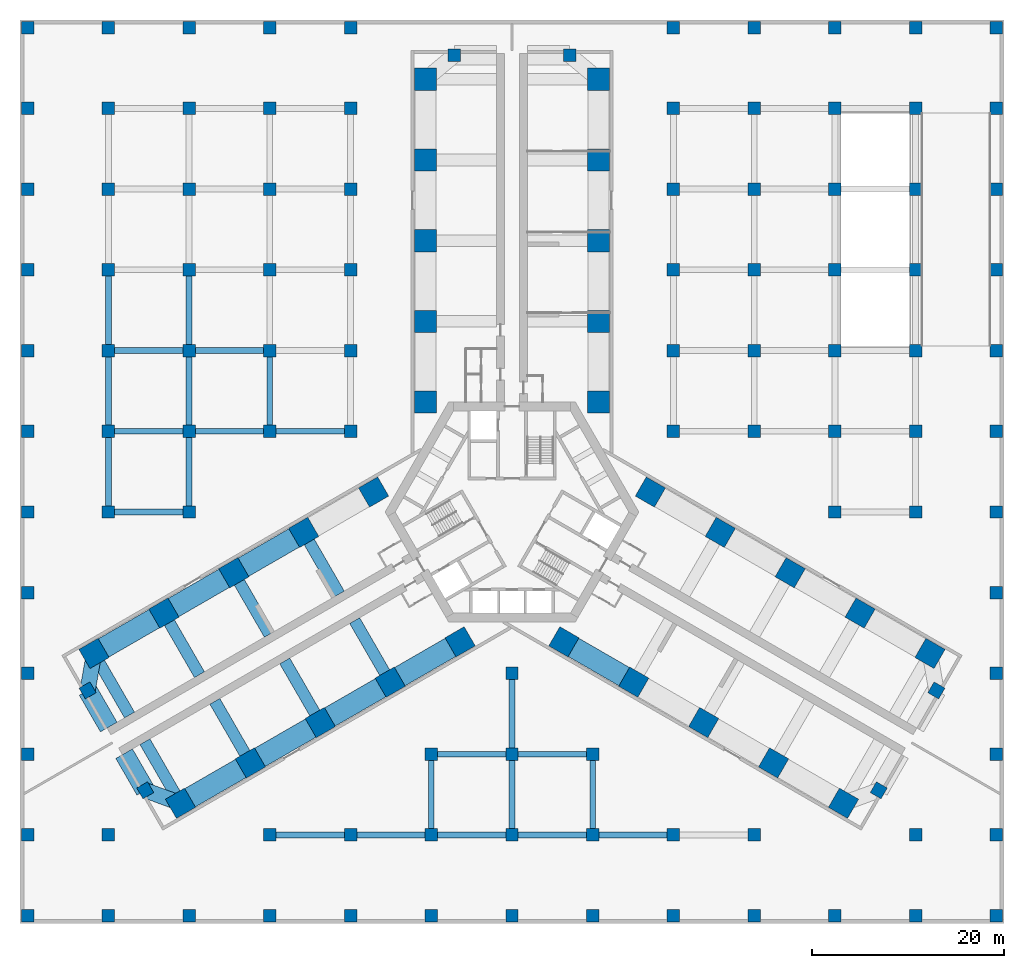
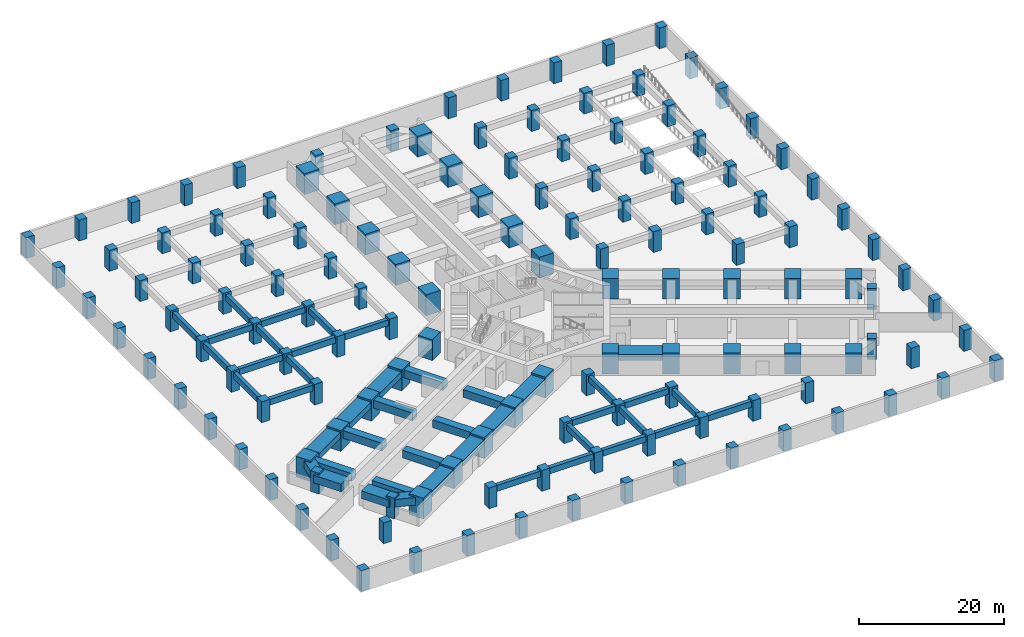
# One storey, part 1 of 11: 136 columns, 44 beams.
"""IFC4 building model written with IfcOpenShell, lengths in metres."""

import ifcopenshell
import ifcopenshell.guid

model = None  # the IFC model being written
_history = None  # IfcOwnerHistory: only IFC2X3 demands one
_inside = {}  # id of a spatial element -> (the spatial element, [elements in it])
_under = {}  # id of a project, library or spatial element -> (it, [spatial elements below it])
_declared = {}  # id of a project -> (the project, [libraries it declares])
_typed = {}  # id of a type object -> (the type object, [elements of that type])
_made_of = {}  # id of a material, layer set ... -> (it, [elements and type objects made of it])


def new_model(schema):
    """Start an empty IFC model of exactly this schema.

    Asked for "IFC4X3", IfcOpenShell would pick the latest addendum, in which some entities
    have other attributes; the version numbers below select the first issue.
    IFC2X3 requires an IfcOwnerHistory on every rooted entity: one is made here for all.
    """
    global model, _history
    if schema == "IFC4X3":
        model = ifcopenshell.file(schema_version=(4, 3, 0, 0))
    else:
        model = ifcopenshell.file(schema=schema)
    _inside.clear()
    _under.clear()
    _declared.clear()
    _typed.clear()
    _made_of.clear()
    _history = None
    if model.schema == "IFC2X3":
        org = make("IfcOrganization", Name="unknown")
        user = make(
            "IfcPersonAndOrganization",
            ThePerson=make("IfcPerson", FamilyName="unknown"),
            TheOrganization=org,
        )
        app = make(
            "IfcApplication",
            ApplicationDeveloper=org,
            Version="unknown",
            ApplicationFullName="unknown",
            ApplicationIdentifier="unknown",
        )
        _history = make(
            "IfcOwnerHistory",
            OwningUser=user,
            OwningApplication=app,
            ChangeAction="ADDED",
            CreationDate=0,
        )
    return model


def make(cls, **values):
    """One entity of the class cls with the attributes given. An attribute that is None is left unset."""
    return model.create_entity(
        cls, **{name: value for name, value in values.items() if value is not None}
    )


def rooted(cls, **values):
    """An entity with a GlobalId (a new one), such as an element, a storey or a relation."""
    return make(cls, GlobalId=ifcopenshell.guid.new(), OwnerHistory=_history, **values)


def si_unit(unit_type, name, prefix=None):
    """IfcSIUnit, for example si_unit("LENGTHUNIT", "METRE", prefix="MILLI")."""
    return make("IfcSIUnit", UnitType=unit_type, Prefix=prefix, Name=name)


def assignment(units):
    """IfcUnitAssignment: the units of a project."""
    return None if units is None else make("IfcUnitAssignment", Units=units)


def point(xyz):
    """IfcCartesianPoint."""
    return None if xyz is None else make("IfcCartesianPoint", Coordinates=xyz)


def direction(xyz):
    """IfcDirection."""
    return None if xyz is None else make("IfcDirection", DirectionRatios=xyz)


def frame(location, z_axis=None, x_axis=None):
    """IfcAxis2Placement3D, a coordinate frame: its origin and axes. An axis left out is left unset."""
    return make(
        "IfcAxis2Placement3D",
        Location=point(location),
        Axis=direction(z_axis),
        RefDirection=direction(x_axis),
    )


def frame_2d(location, x_axis=None):
    """IfcAxis2Placement2D, a coordinate frame in the plane: its origin and x axis."""
    return make(
        "IfcAxis2Placement2D", Location=point(location), RefDirection=direction(x_axis)
    )


def origin():
    """The frame at (0, 0, 0) with its axes left unset."""
    return frame((0.0, 0.0, 0.0))


def origin_2d():
    """The frame at (0, 0) in the plane with its x axis left unset."""
    return frame_2d((0.0, 0.0))


def place(relative_to, where):
    """IfcLocalPlacement: puts the frame where relative to a parent placement (None: the world)."""
    return make(
        "IfcLocalPlacement", PlacementRelTo=relative_to, RelativePlacement=where
    )


def context(
    kind, dimensions, precision=None, world=None, true_north=None, identifier=None
):
    """IfcGeometricRepresentationContext, for example the 3D "Model" context."""
    return make(
        "IfcGeometricRepresentationContext",
        ContextIdentifier=identifier,
        ContextType=kind,
        CoordinateSpaceDimension=dimensions,
        Precision=precision,
        WorldCoordinateSystem=world,
        TrueNorth=true_north,
    )


def subcontext(parent, identifier, kind, view, scale=None):
    """IfcGeometricRepresentationSubContext, for example "Body" below "Model"."""
    return make(
        "IfcGeometricRepresentationSubContext",
        ContextIdentifier=identifier,
        ContextType=kind,
        ParentContext=parent,
        TargetScale=scale,
        TargetView=view,
    )


def project(units=None, contexts=None):
    """IfcProject with its units and contexts."""
    return rooted(
        "IfcProject",
        Name="project",
        RepresentationContexts=contexts,
        UnitsInContext=assignment(units),
    )


def spatial(cls, under=None, at=None, **own):
    """A site, building, storey or space (cls), placed at a placement, below another one or the project."""
    s = rooted(cls, ObjectPlacement=at, **own)
    if under is not None:
        _under.setdefault(under.id(), (under, []))[1].append(s)
    return s


def profile(cls, at=None, kind="AREA", **sizes):
    """A parametric profile (cls). Its sizes go by their IFC names, for example OverallWidth=200.0."""
    return make(cls, ProfileType=kind, Position=at, **sizes)


def rectangle(**sizes):
    """IfcRectangleProfileDef."""
    return profile("IfcRectangleProfileDef", **sizes)


def extrude(swept, where, along, depth):
    """IfcExtrudedAreaSolid: the profile swept, set in the frame where, extruded along a direction by depth."""
    return make(
        "IfcExtrudedAreaSolid",
        SweptArea=swept,
        Position=where,
        ExtrudedDirection=direction(along),
        Depth=depth,
    )


def shape(context_of_items, identifier, shape_type, items):
    """IfcShapeRepresentation: the items that make up one representation, for example the "Body"."""
    return make(
        "IfcShapeRepresentation",
        ContextOfItems=context_of_items,
        RepresentationIdentifier=identifier,
        RepresentationType=shape_type,
        Items=items,
    )


def material(Name=None, Category=None):
    """IfcMaterial."""
    return make("IfcMaterial", Name=Name, Category=Category)


def material_profile(
    of_material, cross_section, Name=None, Category=None, Priority=None
):
    """IfcMaterialProfile: a cross section and its material."""
    return make(
        "IfcMaterialProfile",
        Name=Name,
        Material=of_material,
        Profile=cross_section,
        Priority=Priority,
        Category=Category,
    )


def profile_set(profiles, Name=None, composite=None):
    """IfcMaterialProfileSet."""
    return make(
        "IfcMaterialProfileSet",
        Name=Name,
        MaterialProfiles=profiles,
        CompositeProfile=composite,
    )


def made_of(thing, what):
    """Note that an element or type object is made of a material, layer set ...; save() writes the relation."""
    if what is not None:
        _made_of.setdefault(what.id(), (what, []))[1].append(thing)
    return thing


def type_object(cls, material=None, **own):
    """A type object (cls), such as IfcWallType, which elements share."""
    return made_of(rooted(cls, **own), material)


def element(
    cls,
    number,
    at=None,
    inside=None,
    cuts=None,
    type_object=None,
    material=None,
    context=None,
    identifier="Body",
    shape_type=None,
    held_by="IfcProductDefinitionShape",
    body=None,
    shapes=None,
    **own,
):
    """One element of the class cls, such as IfcWall. Its Tag is "e" and its number.

    at: its placement. inside: the storey or other place that contains it. cuts: it is an
    opening in that element (IfcRelVoidsElement). A single representation is given by context,
    identifier, shape_type and body (its items); several are given by shapes. held_by: the class
    of the entity that holds the representations. save() writes the other relations.
    """
    e = rooted(cls, Tag="e%d" % number, ObjectPlacement=at, **own)
    if body is not None:
        shapes = [shape(context, identifier, shape_type, body)]
    if shapes is not None:
        e.Representation = make(held_by, Representations=shapes)
    if inside is not None:
        _inside.setdefault(inside.id(), (inside, []))[1].append(e)
    if cuts is not None:
        rooted(
            "IfcRelVoidsElement", RelatingBuildingElement=cuts, RelatedOpeningElement=e
        )
    if type_object is not None:
        _typed.setdefault(type_object.id(), (type_object, []))[1].append(e)
    return made_of(e, material)


def aggregate(whole, parts):
    """IfcRelAggregates: a whole, such as a stair, and the parts it consists of."""
    return rooted("IfcRelAggregates", RelatingObject=whole, RelatedObjects=parts)


def save(model, path):
    """Write the relations noted so far, then the file.

    IfcRelAggregates (storeys below a building ...), IfcRelContainedInSpatialStructure (elements
    in a storey), IfcRelDefinesByType, IfcRelAssociatesMaterial and IfcRelDeclares: one each for
    every whole, place, type object, material and project.
    """
    for whole, parts in _under.values():
        aggregate(whole, parts)
    for where, things in _inside.values():
        rooted(
            "IfcRelContainedInSpatialStructure",
            RelatedElements=things,
            RelatingStructure=where,
        )
    for kind, things in _typed.values():
        rooted("IfcRelDefinesByType", RelatedObjects=things, RelatingType=kind)
    for what, things in _made_of.values():
        rooted("IfcRelAssociatesMaterial", RelatedObjects=things, RelatingMaterial=what)
    for by, libraries in _declared.values():
        rooted("IfcRelDeclares", RelatingContext=by, RelatedDefinitions=libraries)
    model.write(path)


model = new_model("IFC4")

# Units and contexts
model_context = context("Model", 3, precision=1e-05, world=origin(), true_north=direction((0.0, 1.0)))
body_context = subcontext(model_context, "Body", "Model", "MODEL_VIEW")
ifc_project = project(units=[si_unit("LENGTHUNIT", "METRE"), si_unit("AREAUNIT", "SQUARE_METRE"), si_unit("VOLUMEUNIT", "CUBIC_METRE"), si_unit("PLANEANGLEUNIT", "RADIAN"), si_unit("MASSUNIT", "GRAM", prefix="KILO")], contexts=[model_context])

# Site, building, storey
site_placement = place(None, origin())
site = spatial("IfcSite", under=ifc_project, at=site_placement, CompositionType="ELEMENT")
building_placement = place(site_placement, origin())
building = spatial("IfcBuilding", under=site, at=building_placement, Name="Impinga Residences", CompositionType="ELEMENT")
storey_placement = place(building_placement, frame((0.0, 0.0, -7.0)))
storey = spatial("IfcBuildingStorey", under=building, at=storey_placement, Name="B2", CompositionType="ELEMENT", Elevation=-7.0)

# Columns
ifc_material_1 = material(Name="Concrete C70/85", Category="concrete")
ifc_material_profile_1 = material_profile(ifc_material_1, rectangle(XDim=2.300048828125, YDim=2.300048828125, at=origin_2d()), Name="RC 2300x2300")
ifc_profile_set_1 = profile_set([ifc_material_profile_1], Name="Concrete C70/85")
column_type_1 = type_object("IfcColumnType", Name="C1 2300x2300 column", PredefinedType="COLUMN", material=ifc_profile_set_1)
for number, where, z_axis, x_axis, name in (
    (1, (-9.0, 11.431640625, 0.0), (0.0, 0.0, 1.0), (1.0, 0.0, 0.0), "Column C1 N1/NA B2"),
    (2, (9.0, 11.431640625, 0.0), (0.0, 0.0, 1.0), (1.0, 0.0, 0.0), "Column C1 N1/NF B2"),
    (3, (-9.0, 19.83154296875, 0.0), (0.0, 0.0, 1.0), (1.0, 0.0, 0.0), "Column C1 N2/NA B2"),
    (4, (9.0, 19.83154296875, 0.0), (0.0, 0.0, 1.0), (1.0, 0.0, 0.0), "Column C1 N2/NF B2"),
    (5, (-9.0, 28.2314453125, 0.0), (0.0, 0.0, 1.0), (1.0, 0.0, 0.0), "Column C1 N3/NA B2"),
    (6, (9.0, 28.2314453125, 0.0), (0.0, 0.0, 1.0), (1.0, 0.0, 0.0), "Column C1 N3/NF B2"),
    (7, (-9.0, 36.631591796875, 0.0), (0.0, 0.0, 1.0), (1.0, 0.0, 0.0), "Column C1 N4/NA B2"),
    (8, (9.0, 36.631591796875, 0.0), (0.0, 0.0, 1.0), (1.0, 0.0, 0.0), "Column C1 N4/NF B2"),
    (9, (-9.0, 45.031494140625, 0.0), (0.0, 0.0, 1.0), (1.0, 0.0, 0.0), "Column C1 N5/NA B2"),
    (10, (9.0, 45.031494140625, 0.0), (0.0, 0.0, 1.0), (1.0, 0.0, 0.0), "Column C1 N5/NF B2"),
    (11, (-5.39990234375, -13.510009765625, 0.0), (0.0, 0.0, 1.0), (-0.5, 0.866025403784, 0.0), "Column C1 W1/WA B2"),
    (12, (-14.39990234375, 2.078369140625, 0.0), (0.0, 0.0, 1.0), (-0.5, 0.866025403784, 0.0), "Column C1 W1/WF B2"),
    (13, (-12.674560546875, -17.7099609375, 0.0), (0.0, 0.0, 1.0), (-0.5, 0.866025403784, 0.0), "Column C1 W2/WA B2"),
    (14, (-21.674560546875, -2.12158203125, 0.0), (0.0, 0.0, 1.0), (-0.5, 0.866025403784, 0.0), "Column C1 W2/WF B2"),
    (15, (-19.94921875, -21.909912109375, 0.0), (0.0, 0.0, 1.0), (-0.5, 0.866025403784, 0.0), "Column C1 W3/WA B2"),
    (16, (-28.94921875, -6.321533203125, 0.0), (0.0, 0.0, 1.0), (-0.5, 0.866025403784, 0.0), "Column C1 W3/WF B2"),
    (17, (-27.223876953125, -26.110107421875, 0.0), (0.0, 0.0, 1.0), (-0.5, 0.866025403784, 0.0), "Column C1 W4/WA B2"),
    (18, (-36.223876953125, -10.521484375, 0.0), (0.0, 0.0, 1.0), (-0.5, 0.866025403784, 0.0), "Column C1 W4/WF B2"),
    (19, (-34.49853515625, -30.31005859375, 0.0), (0.0, 0.0, 1.0), (-0.5, 0.866025403784, 0.0), "Column C1 W5/WA B2"),
    (20, (-43.49853515625, -14.721435546875, 0.0), (0.0, 0.0, 1.0), (-0.5, 0.866025403784, 0.0), "Column C1 W5/WF B2"),
    (21, (14.39990234375, 2.078369140625, 0.0), (0.0, 0.0, 1.0), (-0.5, -0.866025403784, 0.0), "Column C1 E1/EA B2"),
    (22, (5.39990234375, -13.510009765625, 0.0), (0.0, 0.0, 1.0), (-0.5, -0.866025403784, 0.0), "Column C1 E1/EF B2"),
    (23, (21.674560546875, -2.12158203125, 0.0), (0.0, 0.0, 1.0), (-0.5, -0.866025403784, 0.0), "Column C1 E2/EA B2"),
    (24, (12.674560546875, -17.7099609375, 0.0), (0.0, 0.0, 1.0), (-0.5, -0.866025403784, 0.0), "Column C1 E2/EF B2"),
    (25, (28.94921875, -6.321533203125, 0.0), (0.0, 0.0, 1.0), (-0.5, -0.866025403784, 0.0), "Column C1 E3/EA B2"),
    (26, (19.94921875, -21.909912109375, 0.0), (0.0, 0.0, 1.0), (-0.5, -0.866025403784, 0.0), "Column C1 E3/EF B2"),
    (27, (36.223876953125, -10.521484375, 0.0), (0.0, 0.0, 1.0), (-0.5, -0.866025403784, 0.0), "Column C1 E4/EA B2"),
    (28, (27.223876953125, -26.110107421875, 0.0), (0.0, 0.0, 1.0), (-0.5, -0.866025403784, 0.0), "Column C1 E4/EF B2"),
    (29, (43.49853515625, -14.721435546875, 0.0), (0.0, 0.0, 1.0), (-0.5, -0.866025403784, 0.0), "Column C1 E5/EA B2"),
    (30, (34.49853515625, -30.31005859375, 0.0), (0.0, 0.0, 1.0), (-0.5, -0.866025403784, 0.0), "Column C1 E5/EF B2"),
):
    element("IfcColumn", number, at=place(storey_placement, frame(where, z_axis=z_axis, x_axis=x_axis)), inside=storey, type_object=column_type_1, Name=name, PredefinedType="COLUMN", context=body_context, shape_type="SweptSolid", body=[
        extrude(rectangle(XDim=2.300048828125, YDim=2.300048828125, at=origin_2d()), origin(), (0.0, 0.0, 1.0), 3.5),
    ])
ifc_material_profile_2 = material_profile(ifc_material_1, rectangle(XDim=1.300048828125, YDim=1.300048828125, at=origin_2d()), Name="RC 1300x1300")
ifc_profile_set_2 = profile_set([ifc_material_profile_2], Name="Concrete C70/85")
column_type_2 = type_object("IfcColumnType", Name="PC1 1300x1300 column", PredefinedType="COLUMN", material=ifc_profile_set_2)
for number, where, z_axis, x_axis, name in (
    (31, (-6.0, 47.531494140625, 0.0), (0.0, 0.0, 1.0), (1.0, 0.0, 0.0), "Column PC1 NB/NX wing end prop B2"),
    (32, (6.0, 47.531494140625, 0.0), (0.0, 0.0, 1.0), (1.0, 0.0, 0.0), "Column PC1 NE/NX wing end prop B2"),
    (33, (-38.16357421875, -28.9619140625, 0.0), (0.0, 0.0, 1.0), (-0.5, 0.866025403784, 0.0), "Column PC1 WB/WX wing end prop B2"),
    (34, (-44.16357421875, -18.569580078125, 0.0), (0.0, 0.0, 1.0), (-0.5, 0.866025403784, 0.0), "Column PC1 WE/WX wing end prop B2"),
    (35, (44.16357421875, -18.569580078125, 0.0), (0.0, 0.0, 1.0), (-0.5, -0.866025403784, 0.0), "Column PC1 EB/EX wing end prop B2"),
    (36, (38.16357421875, -28.9619140625, 0.0), (0.0, 0.0, 1.0), (-0.5, -0.866025403784, 0.0), "Column PC1 EE/EX wing end prop B2"),
    (37, (-50.39990234375, -42.0, 0.0), (0.0, 0.0, 1.0), (1.0, 0.0, 0.0), "Column PC1 1/A B2"),
    (38, (-50.39990234375, -33.60009765625, 0.0), (0.0, 0.0, 1.0), (1.0, 0.0, 0.0), "Column PC1 1/B B2"),
    (39, (-50.39990234375, -25.199951171875, 0.0), (0.0, 0.0, 1.0), (1.0, 0.0, 0.0), "Column PC1 1/C B2"),
    (40, (-50.39990234375, -16.800048828125, 0.0), (0.0, 0.0, 1.0), (1.0, 0.0, 0.0), "Column PC1 1/D B2"),
    (41, (-50.39990234375, -8.39990234375, 0.0), (0.0, 0.0, 1.0), (1.0, 0.0, 0.0), "Column PC1 1/E B2"),
    (42, (-50.39990234375, 0.0, 0.0), (0.0, 0.0, 1.0), (1.0, 0.0, 0.0), "Column PC1 1/F B2"),
    (43, (-50.39990234375, 8.39990234375, 0.0), (0.0, 0.0, 1.0), (1.0, 0.0, 0.0), "Column PC1 1/G B2"),
    (44, (-50.39990234375, 16.800048828125, 0.0), (0.0, 0.0, 1.0), (1.0, 0.0, 0.0), "Column PC1 1/H B2"),
    (45, (-50.39990234375, 25.199951171875, 0.0), (0.0, 0.0, 1.0), (1.0, 0.0, 0.0), "Column PC1 1/J B2"),
    (46, (-50.39990234375, 33.60009765625, 0.0), (0.0, 0.0, 1.0), (1.0, 0.0, 0.0), "Column PC1 1/K B2"),
    (47, (-50.39990234375, 42.0, 0.0), (0.0, 0.0, 1.0), (1.0, 0.0, 0.0), "Column PC1 1/L B2"),
    (48, (-50.39990234375, 50.39990234375, 0.0), (0.0, 0.0, 1.0), (1.0, 0.0, 0.0), "Column PC1 1/M B2"),
    (49, (-42.0, -42.0, 0.0), (0.0, 0.0, 1.0), (1.0, 0.0, 0.0), "Column PC1 2/A B2"),
    (50, (-42.0, -33.60009765625, 0.0), (0.0, 0.0, 1.0), (1.0, 0.0, 0.0), "Column PC1 2/B B2"),
    (51, (-42.0, 0.0, 0.0), (0.0, 0.0, 1.0), (1.0, 0.0, 0.0), "Column PC1 2/F B2"),
    (52, (-42.0, 8.39990234375, 0.0), (0.0, 0.0, 1.0), (1.0, 0.0, 0.0), "Column PC1 2/G B2"),
    (53, (-42.0, 16.800048828125, 0.0), (0.0, 0.0, 1.0), (1.0, 0.0, 0.0), "Column PC1 2/H B2"),
    (54, (-42.0, 25.199951171875, 0.0), (0.0, 0.0, 1.0), (1.0, 0.0, 0.0), "Column PC1 2/J B2"),
    (55, (-42.0, 33.60009765625, 0.0), (0.0, 0.0, 1.0), (1.0, 0.0, 0.0), "Column PC1 2/K B2"),
    (56, (-42.0, 42.0, 0.0), (0.0, 0.0, 1.0), (1.0, 0.0, 0.0), "Column PC1 2/L B2"),
    (57, (-42.0, 50.39990234375, 0.0), (0.0, 0.0, 1.0), (1.0, 0.0, 0.0), "Column PC1 2/M B2"),
    (58, (-33.60009765625, -42.0, 0.0), (0.0, 0.0, 1.0), (1.0, 0.0, 0.0), "Column PC1 3/A B2"),
    (59, (-33.60009765625, 0.0, 0.0), (0.0, 0.0, 1.0), (1.0, 0.0, 0.0), "Column PC1 3/F B2"),
    (60, (-33.60009765625, 8.39990234375, 0.0), (0.0, 0.0, 1.0), (1.0, 0.0, 0.0), "Column PC1 3/G B2"),
    (61, (-33.60009765625, 16.800048828125, 0.0), (0.0, 0.0, 1.0), (1.0, 0.0, 0.0), "Column PC1 3/H B2"),
    (62, (-33.60009765625, 25.199951171875, 0.0), (0.0, 0.0, 1.0), (1.0, 0.0, 0.0), "Column PC1 3/J B2"),
    (63, (-33.60009765625, 33.60009765625, 0.0), (0.0, 0.0, 1.0), (1.0, 0.0, 0.0), "Column PC1 3/K B2"),
    (64, (-33.60009765625, 42.0, 0.0), (0.0, 0.0, 1.0), (1.0, 0.0, 0.0), "Column PC1 3/L B2"),
    (65, (-33.60009765625, 50.39990234375, 0.0), (0.0, 0.0, 1.0), (1.0, 0.0, 0.0), "Column PC1 3/M B2"),
    (66, (-25.199951171875, -42.0, 0.0), (0.0, 0.0, 1.0), (1.0, 0.0, 0.0), "Column PC1 4/A B2"),
    (67, (-25.199951171875, -33.60009765625, 0.0), (0.0, 0.0, 1.0), (1.0, 0.0, 0.0), "Column PC1 4/B B2"),
    (68, (-25.199951171875, 8.39990234375, 0.0), (0.0, 0.0, 1.0), (1.0, 0.0, 0.0), "Column PC1 4/G B2"),
    (69, (-25.199951171875, 16.800048828125, 0.0), (0.0, 0.0, 1.0), (1.0, 0.0, 0.0), "Column PC1 4/H B2"),
    (70, (-25.199951171875, 25.199951171875, 0.0), (0.0, 0.0, 1.0), (1.0, 0.0, 0.0), "Column PC1 4/J B2"),
    (71, (-25.199951171875, 33.60009765625, 0.0), (0.0, 0.0, 1.0), (1.0, 0.0, 0.0), "Column PC1 4/K B2"),
    (72, (-25.199951171875, 42.0, 0.0), (0.0, 0.0, 1.0), (1.0, 0.0, 0.0), "Column PC1 4/L B2"),
    (73, (-25.199951171875, 50.39990234375, 0.0), (0.0, 0.0, 1.0), (1.0, 0.0, 0.0), "Column PC1 4/M B2"),
    (74, (-16.800048828125, -42.0, 0.0), (0.0, 0.0, 1.0), (1.0, 0.0, 0.0), "Column PC1 5/A B2"),
    (75, (-16.800048828125, -33.60009765625, 0.0), (0.0, 0.0, 1.0), (1.0, 0.0, 0.0), "Column PC1 5/B B2"),
    (76, (-16.800048828125, 8.39990234375, 0.0), (0.0, 0.0, 1.0), (1.0, 0.0, 0.0), "Column PC1 5/G B2"),
    (77, (-16.800048828125, 16.800048828125, 0.0), (0.0, 0.0, 1.0), (1.0, 0.0, 0.0), "Column PC1 5/H B2"),
    (78, (-16.800048828125, 25.199951171875, 0.0), (0.0, 0.0, 1.0), (1.0, 0.0, 0.0), "Column PC1 5/J B2"),
    (79, (-16.800048828125, 33.60009765625, 0.0), (0.0, 0.0, 1.0), (1.0, 0.0, 0.0), "Column PC1 5/K B2"),
    (80, (-16.800048828125, 42.0, 0.0), (0.0, 0.0, 1.0), (1.0, 0.0, 0.0), "Column PC1 5/L B2"),
    (81, (-16.800048828125, 50.39990234375, 0.0), (0.0, 0.0, 1.0), (1.0, 0.0, 0.0), "Column PC1 5/M B2"),
    (82, (-8.39990234375, -42.0, 0.0), (0.0, 0.0, 1.0), (1.0, 0.0, 0.0), "Column PC1 6/A B2"),
    (83, (-8.39990234375, -33.60009765625, 0.0), (0.0, 0.0, 1.0), (1.0, 0.0, 0.0), "Column PC1 6/B B2"),
    (84, (-8.39990234375, -25.199951171875, 0.0), (0.0, 0.0, 1.0), (1.0, 0.0, 0.0), "Column PC1 6/C B2"),
    (85, (0.0, -42.0, 0.0), (0.0, 0.0, 1.0), (1.0, 0.0, 0.0), "Column PC1 7/A B2"),
    (86, (0.0, -33.60009765625, 0.0), (0.0, 0.0, 1.0), (1.0, 0.0, 0.0), "Column PC1 7/B B2"),
    (87, (0.0, -25.199951171875, 0.0), (0.0, 0.0, 1.0), (1.0, 0.0, 0.0), "Column PC1 7/C B2"),
    (88, (0.0, -16.800048828125, 0.0), (0.0, 0.0, 1.0), (1.0, 0.0, 0.0), "Column PC1 7/D B2"),
    (89, (8.39990234375, -42.0, 0.0), (0.0, 0.0, 1.0), (1.0, 0.0, 0.0), "Column PC1 8/A B2"),
    (90, (8.39990234375, -33.60009765625, 0.0), (0.0, 0.0, 1.0), (1.0, 0.0, 0.0), "Column PC1 8/B B2"),
    (91, (8.39990234375, -25.199951171875, 0.0), (0.0, 0.0, 1.0), (1.0, 0.0, 0.0), "Column PC1 8/C B2"),
    (92, (16.800048828125, -42.0, 0.0), (0.0, 0.0, 1.0), (1.0, 0.0, 0.0), "Column PC1 9/A B2"),
    (93, (16.800048828125, -33.60009765625, 0.0), (0.0, 0.0, 1.0), (1.0, 0.0, 0.0), "Column PC1 9/B B2"),
    (94, (16.800048828125, 8.39990234375, 0.0), (0.0, 0.0, 1.0), (1.0, 0.0, 0.0), "Column PC1 9/G B2"),
    (95, (16.800048828125, 16.800048828125, 0.0), (0.0, 0.0, 1.0), (1.0, 0.0, 0.0), "Column PC1 9/H B2"),
    (96, (16.800048828125, 25.199951171875, 0.0), (0.0, 0.0, 1.0), (1.0, 0.0, 0.0), "Column PC1 9/J B2"),
    (97, (16.800048828125, 33.60009765625, 0.0), (0.0, 0.0, 1.0), (1.0, 0.0, 0.0), "Column PC1 9/K B2"),
    (98, (16.800048828125, 42.0, 0.0), (0.0, 0.0, 1.0), (1.0, 0.0, 0.0), "Column PC1 9/L B2"),
    (99, (16.800048828125, 50.39990234375, 0.0), (0.0, 0.0, 1.0), (1.0, 0.0, 0.0), "Column PC1 9/M B2"),
    (100, (25.199951171875, -42.0, 0.0), (0.0, 0.0, 1.0), (1.0, 0.0, 0.0), "Column PC1 10/A B2"),
    (101, (25.199951171875, -33.60009765625, 0.0), (0.0, 0.0, 1.0), (1.0, 0.0, 0.0), "Column PC1 10/B B2"),
    (102, (25.199951171875, 8.39990234375, 0.0), (0.0, 0.0, 1.0), (1.0, 0.0, 0.0), "Column PC1 10/G B2"),
    (103, (25.199951171875, 16.800048828125, 0.0), (0.0, 0.0, 1.0), (1.0, 0.0, 0.0), "Column PC1 10/H B2"),
    (104, (25.199951171875, 25.199951171875, 0.0), (0.0, 0.0, 1.0), (1.0, 0.0, 0.0), "Column PC1 10/J B2"),
    (105, (25.199951171875, 33.60009765625, 0.0), (0.0, 0.0, 1.0), (1.0, 0.0, 0.0), "Column PC1 10/K B2"),
    (106, (25.199951171875, 42.0, 0.0), (0.0, 0.0, 1.0), (1.0, 0.0, 0.0), "Column PC1 10/L B2"),
    (107, (25.199951171875, 50.39990234375, 0.0), (0.0, 0.0, 1.0), (1.0, 0.0, 0.0), "Column PC1 10/M B2"),
    (108, (33.60009765625, -42.0, 0.0), (0.0, 0.0, 1.0), (1.0, 0.0, 0.0), "Column PC1 11/A B2"),
    (109, (33.60009765625, 0.0, 0.0), (0.0, 0.0, 1.0), (1.0, 0.0, 0.0), "Column PC1 11/F B2"),
    (110, (33.60009765625, 8.39990234375, 0.0), (0.0, 0.0, 1.0), (1.0, 0.0, 0.0), "Column PC1 11/G B2"),
    (111, (33.60009765625, 16.800048828125, 0.0), (0.0, 0.0, 1.0), (1.0, 0.0, 0.0), "Column PC1 11/H B2"),
    (112, (33.60009765625, 25.199951171875, 0.0), (0.0, 0.0, 1.0), (1.0, 0.0, 0.0), "Column PC1 11/J B2"),
    (113, (33.60009765625, 33.60009765625, 0.0), (0.0, 0.0, 1.0), (1.0, 0.0, 0.0), "Column PC1 11/K B2"),
    (114, (33.60009765625, 42.0, 0.0), (0.0, 0.0, 1.0), (1.0, 0.0, 0.0), "Column PC1 11/L B2"),
    (115, (33.60009765625, 50.39990234375, 0.0), (0.0, 0.0, 1.0), (1.0, 0.0, 0.0), "Column PC1 11/M B2"),
    (116, (42.0, -42.0, 0.0), (0.0, 0.0, 1.0), (1.0, 0.0, 0.0), "Column PC1 12/A B2"),
    (117, (42.0, -33.60009765625, 0.0), (0.0, 0.0, 1.0), (1.0, 0.0, 0.0), "Column PC1 12/B B2"),
    (118, (42.0, 0.0, 0.0), (0.0, 0.0, 1.0), (1.0, 0.0, 0.0), "Column PC1 12/F B2"),
    (119, (42.0, 8.39990234375, 0.0), (0.0, 0.0, 1.0), (1.0, 0.0, 0.0), "Column PC1 12/G B2"),
    (120, (42.0, 16.800048828125, 0.0), (0.0, 0.0, 1.0), (1.0, 0.0, 0.0), "Column PC1 12/H B2"),
    (121, (42.0, 25.199951171875, 0.0), (0.0, 0.0, 1.0), (1.0, 0.0, 0.0), "Column PC1 12/J B2"),
    (122, (42.0, 33.60009765625, 0.0), (0.0, 0.0, 1.0), (1.0, 0.0, 0.0), "Column PC1 12/K B2"),
    (123, (42.0, 42.0, 0.0), (0.0, 0.0, 1.0), (1.0, 0.0, 0.0), "Column PC1 12/L B2"),
    (124, (42.0, 50.39990234375, 0.0), (0.0, 0.0, 1.0), (1.0, 0.0, 0.0), "Column PC1 12/M B2"),
    (125, (50.39990234375, -42.0, 0.0), (0.0, 0.0, 1.0), (1.0, 0.0, 0.0), "Column PC1 13/A B2"),
    (126, (50.39990234375, -33.60009765625, 0.0), (0.0, 0.0, 1.0), (1.0, 0.0, 0.0), "Column PC1 13/B B2"),
    (127, (50.39990234375, -25.199951171875, 0.0), (0.0, 0.0, 1.0), (1.0, 0.0, 0.0), "Column PC1 13/C B2"),
    (128, (50.39990234375, -16.800048828125, 0.0), (0.0, 0.0, 1.0), (1.0, 0.0, 0.0), "Column PC1 13/D B2"),
    (129, (50.39990234375, -8.39990234375, 0.0), (0.0, 0.0, 1.0), (1.0, 0.0, 0.0), "Column PC1 13/E B2"),
    (130, (50.39990234375, 0.0, 0.0), (0.0, 0.0, 1.0), (1.0, 0.0, 0.0), "Column PC1 13/F B2"),
    (131, (50.39990234375, 8.39990234375, 0.0), (0.0, 0.0, 1.0), (1.0, 0.0, 0.0), "Column PC1 13/G B2"),
    (132, (50.39990234375, 16.800048828125, 0.0), (0.0, 0.0, 1.0), (1.0, 0.0, 0.0), "Column PC1 13/H B2"),
    (133, (50.39990234375, 25.199951171875, 0.0), (0.0, 0.0, 1.0), (1.0, 0.0, 0.0), "Column PC1 13/J B2"),
    (134, (50.39990234375, 33.60009765625, 0.0), (0.0, 0.0, 1.0), (1.0, 0.0, 0.0), "Column PC1 13/K B2"),
    (135, (50.39990234375, 42.0, 0.0), (0.0, 0.0, 1.0), (1.0, 0.0, 0.0), "Column PC1 13/L B2"),
    (136, (50.39990234375, 50.39990234375, 0.0), (0.0, 0.0, 1.0), (1.0, 0.0, 0.0), "Column PC1 13/M B2"),
):
    element("IfcColumn", number, at=place(storey_placement, frame(where, z_axis=z_axis, x_axis=x_axis)), inside=storey, type_object=column_type_2, Name=name, PredefinedType="COLUMN", context=body_context, shape_type="SweptSolid", body=[
        extrude(rectangle(XDim=1.300048828125, YDim=1.300048828125, at=origin_2d()), origin(), (0.0, 0.0, 1.0), 3.5),
    ])

# Beams
ifc_material_2 = material(Name="Concrete C60/75", Category="concrete")
ifc_material_profile_3 = material_profile(ifc_material_2, rectangle(XDim=1.60009765625, YDim=1.300048828125, at=origin_2d()), Name="RC 1600x1300")
ifc_profile_set_3 = profile_set([ifc_material_profile_3], Name="Concrete C60/75")
beam_type_1 = type_object("IfcBeamType", Name="CB4 1600x1300 wing end beam to the wing-tip prop", PredefinedType="BEAM", material=ifc_profile_set_3)
beam_1_placement = place(storey_placement, frame((-34.49853515625, -30.31005859375, 2.550048828125), z_axis=(-0.938520178725, 0.345224382289, 0.0), x_axis=(-0.345224382289, -0.938520178725, 0.0)))
element("IfcBeam", 137, at=beam_1_placement, inside=storey, type_object=beam_type_1, Name="Beam CB4 WB W5-WX level B1", PredefinedType="BEAM", context=body_context, shape_type="SweptSolid", body=[
    extrude(rectangle(XDim=1.60009765625, YDim=1.300048828125, at=origin_2d()), origin(), (0.0, 0.0, 1.0), 3.905029296875),
])
beam_2_placement = place(storey_placement, frame((-43.49853515625, -14.721435546875, 2.550048828125), z_axis=(-0.170296298948, -0.985392901621, 0.0), x_axis=(0.985392901621, -0.170296298948, 0.0)))
element("IfcBeam", 138, at=beam_2_placement, inside=storey, type_object=beam_type_1, Name="Beam CB4 WE W5-WX level B1", PredefinedType="BEAM", context=body_context, shape_type="SweptSolid", body=[
    extrude(rectangle(XDim=1.60009765625, YDim=1.300048828125, at=origin_2d()), origin(), (0.0, 0.0, 1.0), 3.9052734375),
])
ifc_material_profile_4 = material_profile(ifc_material_2, rectangle(XDim=1.199951171875, YDim=1.300048828125, at=origin_2d()), Name="RC 1200x1300")
ifc_profile_set_4 = profile_set([ifc_material_profile_4], Name="Concrete C60/75")
beam_type_2 = type_object("IfcBeamType", Name="CG2 1200x1300 cross girder on a wing bay line", PredefinedType="BEAM", material=ifc_profile_set_4)
for number, where, z_axis, x_axis, name in (
    (139, (-16.37451171875, -11.301513671875, 2.550048828125), (0.500003285667, -0.866023506795, 0.0), (0.866023506795, 0.500003285667, 0.0), "Beam CG2 W2 WC/WA level B1"),
    (140, (-23.649169921875, -15.50146484375, 2.550048828125), (0.500003285667, -0.866023506795, 0.0), (0.866023506795, 0.500003285667, 0.0), "Beam CG2 W3 WC/WA level B1"),
):
    element("IfcBeam", number, at=place(storey_placement, frame(where, z_axis=z_axis, x_axis=x_axis)), inside=storey, type_object=beam_type_2, Name=name, PredefinedType="BEAM", context=body_context, shape_type="SweptSolid", body=[
        extrude(rectangle(XDim=1.199951171875, YDim=1.300048828125, at=origin_2d()), origin(), (0.0, 0.0, 1.0), 7.39990234375),
    ])
for number, where, z_axis, x_axis, name in (
    (141, (-30.923828125, -19.701416015625, 2.550048828125), (0.499988999718, -0.866031754707, 0.0), (0.866031754707, 0.499988999718, 0.0), "Beam CG2 W4 WC/WA level B1"),
    (142, (-38.198486328125, -23.9013671875, 2.550048828125), (0.499988999718, -0.866031754707, 0.0), (0.866031754707, 0.499988999718, 0.0), "Beam CG2 W5 WC/WA level B1"),
):
    element("IfcBeam", number, at=place(storey_placement, frame(where, z_axis=z_axis, x_axis=x_axis)), inside=storey, type_object=beam_type_2, Name=name, PredefinedType="BEAM", context=body_context, shape_type="SweptSolid", body=[
        extrude(rectangle(XDim=1.199951171875, YDim=1.300048828125, at=origin_2d()), origin(), (0.0, 0.0, 1.0), 7.400146484375),
    ])
beam_3_placement = place(storey_placement, frame((-17.974609375, -8.530029296875, 2.550048828125), z_axis=(-0.500003285667, 0.866023506795, 0.0), x_axis=(-0.866023506795, -0.500003285667, 0.0)))
element("IfcBeam", 143, at=beam_3_placement, inside=storey, type_object=beam_type_2, Name="Beam CG2 W2 WC/WF level B1", PredefinedType="BEAM", context=body_context, shape_type="SweptSolid", body=[
    extrude(rectangle(XDim=1.199951171875, YDim=1.300048828125, at=origin_2d()), origin(), (0.0, 0.0, 1.0), 7.39990234375),
])
for number, where, z_axis, x_axis, name in (
    (144, (-25.249267578125, -12.730224609375, 2.550048828125), (-0.499988999718, 0.866031754707, 0.0), (-0.866031754707, -0.499988999718, 0.0), "Beam CG2 W3 WC/WF level B1"),
    (145, (-32.52392578125, -16.93017578125, 2.550048828125), (-0.499988999718, 0.866031754707, 0.0), (-0.866031754707, -0.499988999718, 0.0), "Beam CG2 W4 WC/WF level B1"),
    (146, (-39.79833984375, -21.130126953125, 2.550048828125), (-0.500013743233, 0.86601746898, 0.0), (-0.86601746898, -0.500013743233, 0.0), "Beam CG2 W5 WC/WF level B1"),
):
    element("IfcBeam", number, at=place(storey_placement, frame(where, z_axis=z_axis, x_axis=x_axis)), inside=storey, type_object=beam_type_2, Name=name, PredefinedType="BEAM", context=body_context, shape_type="SweptSolid", body=[
        extrude(rectangle(XDim=1.199951171875, YDim=1.300048828125, at=origin_2d()), origin(), (0.0, 0.0, 1.0), 7.400146484375),
    ])
ifc_material_profile_5 = material_profile(ifc_material_2, rectangle(XDim=2.0, YDim=1.300048828125, at=origin_2d()), Name="RC 2000x1300")
ifc_profile_set_5 = profile_set([ifc_material_profile_5], Name="Concrete C60/75")
beam_type_3 = type_object("IfcBeamType", Name="EB4 2000x1300 wing end beam", PredefinedType="BEAM", material=ifc_profile_set_5)
for number, where, z_axis, x_axis, name in (
    (147, (-38.16357421875, -28.9619140625, 2.550048828125), (-0.499988222896, 0.866032203192, 0.0), (-0.866032203192, -0.499988222896, 0.0), "Beam EB4 WX4 level B1"),
    (148, (-41.963623046875, -22.380126953125, 2.550048828125), (-0.499988222896, 0.866032203192, 0.0), (-0.866032203192, -0.499988222896, 0.0), "Beam EB4 WX4 level B1"),
):
    element("IfcBeam", number, at=place(storey_placement, frame(where, z_axis=z_axis, x_axis=x_axis)), inside=storey, type_object=beam_type_3, Name=name, PredefinedType="BEAM", context=body_context, shape_type="SweptSolid", body=[
        extrude(rectangle(XDim=2.0, YDim=1.300048828125, at=origin_2d()), origin(), (0.0, 0.0, 1.0), 4.39990234375),
    ])
ifc_material_profile_6 = material_profile(ifc_material_2, rectangle(XDim=0.60009765625, YDim=1.0, at=origin_2d()), Name="RC 600x1000")
ifc_profile_set_6 = profile_set([ifc_material_profile_6], Name="Concrete C60/75")
beam_type_4 = type_object("IfcBeamType", Name="PB1 600x1000 basement and ground floor beam", PredefinedType="BEAM", material=ifc_profile_set_6)
beam_4_placement = place(storey_placement, frame((-25.199951171875, -33.60009765625, 2.699951171875), z_axis=(1.0, 0.0, 0.0), x_axis=(0.0, 1.0, 0.0)))
element("IfcBeam", 149, at=beam_4_placement, inside=storey, type_object=beam_type_4, Name="Beam PB1 B/4-5 level B1", PredefinedType="BEAM", context=body_context, shape_type="SweptSolid", body=[
    extrude(rectangle(XDim=0.60009765625, YDim=1.0, at=origin_2d()), origin(), (0.0, 0.0, 1.0), 8.39990234375),
])
beam_5_placement = place(storey_placement, frame((-16.800048828125, -33.60009765625, 2.699951171875), z_axis=(1.0, 0.0, 0.0), x_axis=(0.0, 1.0, 0.0)))
element("IfcBeam", 150, at=beam_5_placement, inside=storey, type_object=beam_type_4, Name="Beam PB1 B/5-6 level B1", PredefinedType="BEAM", context=body_context, shape_type="SweptSolid", body=[
    extrude(rectangle(XDim=0.60009765625, YDim=1.0, at=origin_2d()), origin(), (0.0, 0.0, 1.0), 8.400146484375),
])
for number, where, z_axis, x_axis, name in (
    (151, (-8.39990234375, -33.60009765625, 2.699951171875), (1.0, 0.0, 0.0), (0.0, 1.0, 0.0), "Beam PB1 B/6-7 level B1"),
    (152, (0.0, -33.60009765625, 2.699951171875), (1.0, 0.0, 0.0), (0.0, 1.0, 0.0), "Beam PB1 B/7-8 level B1"),
):
    element("IfcBeam", number, at=place(storey_placement, frame(where, z_axis=z_axis, x_axis=x_axis)), inside=storey, type_object=beam_type_4, Name=name, PredefinedType="BEAM", context=body_context, shape_type="SweptSolid", body=[
        extrude(rectangle(XDim=0.60009765625, YDim=1.0, at=origin_2d()), origin(), (0.0, 0.0, 1.0), 8.39990234375),
    ])
beam_6_placement = place(storey_placement, frame((8.39990234375, -33.60009765625, 2.699951171875), z_axis=(1.0, 0.0, 0.0), x_axis=(0.0, 1.0, 0.0)))
element("IfcBeam", 153, at=beam_6_placement, inside=storey, type_object=beam_type_4, Name="Beam PB1 B/8-9 level B1", PredefinedType="BEAM", context=body_context, shape_type="SweptSolid", body=[
    extrude(rectangle(XDim=0.60009765625, YDim=1.0, at=origin_2d()), origin(), (0.0, 0.0, 1.0), 8.400146484375),
])
for number, where, z_axis, x_axis, name in (
    (154, (-8.39990234375, -25.199951171875, 2.699951171875), (1.0, 0.0, 0.0), (0.0, 1.0, 0.0), "Beam PB1 C/6-7 level B1"),
    (155, (0.0, -25.199951171875, 2.699951171875), (1.0, 0.0, 0.0), (0.0, 1.0, 0.0), "Beam PB1 C/7-8 level B1"),
    (156, (-42.0, 0.0, 2.699951171875), (1.0, 0.0, 0.0), (0.0, 1.0, 0.0), "Beam PB1 F/2-3 level B1"),
    (157, (-42.0, 8.39990234375, 2.699951171875), (1.0, 0.0, 0.0), (0.0, 1.0, 0.0), "Beam PB1 G/2-3 level B1"),
):
    element("IfcBeam", number, at=place(storey_placement, frame(where, z_axis=z_axis, x_axis=x_axis)), inside=storey, type_object=beam_type_4, Name=name, PredefinedType="BEAM", context=body_context, shape_type="SweptSolid", body=[
        extrude(rectangle(XDim=0.60009765625, YDim=1.0, at=origin_2d()), origin(), (0.0, 0.0, 1.0), 8.39990234375),
    ])
beam_7_placement = place(storey_placement, frame((-33.60009765625, 8.39990234375, 2.699951171875), z_axis=(1.0, 0.0, 0.0), x_axis=(0.0, 1.0, 0.0)))
element("IfcBeam", 158, at=beam_7_placement, inside=storey, type_object=beam_type_4, Name="Beam PB1 G/3-4 level B1", PredefinedType="BEAM", context=body_context, shape_type="SweptSolid", body=[
    extrude(rectangle(XDim=0.60009765625, YDim=1.0, at=origin_2d()), origin(), (0.0, 0.0, 1.0), 8.400146484375),
])
for number, where, z_axis, x_axis, name in (
    (159, (-25.199951171875, 8.39990234375, 2.699951171875), (1.0, 0.0, 0.0), (0.0, 1.0, 0.0), "Beam PB1 G/4-5 level B1"),
    (160, (-42.0, 16.800048828125, 2.699951171875), (1.0, 0.0, 0.0), (0.0, 1.0, 0.0), "Beam PB1 H/2-3 level B1"),
):
    element("IfcBeam", number, at=place(storey_placement, frame(where, z_axis=z_axis, x_axis=x_axis)), inside=storey, type_object=beam_type_4, Name=name, PredefinedType="BEAM", context=body_context, shape_type="SweptSolid", body=[
        extrude(rectangle(XDim=0.60009765625, YDim=1.0, at=origin_2d()), origin(), (0.0, 0.0, 1.0), 8.39990234375),
    ])
beam_8_placement = place(storey_placement, frame((-33.60009765625, 16.800048828125, 2.699951171875), z_axis=(1.0, 0.0, 0.0), x_axis=(0.0, 1.0, 0.0)))
element("IfcBeam", 161, at=beam_8_placement, inside=storey, type_object=beam_type_4, Name="Beam PB1 H/3-4 level B1", PredefinedType="BEAM", context=body_context, shape_type="SweptSolid", body=[
    extrude(rectangle(XDim=0.60009765625, YDim=1.0, at=origin_2d()), origin(), (0.0, 0.0, 1.0), 8.400146484375),
])
beam_9_placement = place(storey_placement, frame((-42.0, 0.0, 2.699951171875), z_axis=(0.0, 1.0, 0.0), x_axis=(-1.0, 0.0, 0.0)))
element("IfcBeam", 162, at=beam_9_placement, inside=storey, type_object=beam_type_4, Name="Beam PB1 2/F-G level B1", PredefinedType="BEAM", context=body_context, shape_type="SweptSolid", body=[
    extrude(rectangle(XDim=0.60009765625, YDim=1.0, at=origin_2d()), origin(), (0.0, 0.0, 1.0), 8.39990234375),
])
beam_10_placement = place(storey_placement, frame((-42.0, 8.39990234375, 2.699951171875), z_axis=(0.0, 1.0, 0.0), x_axis=(-1.0, 0.0, 0.0)))
element("IfcBeam", 163, at=beam_10_placement, inside=storey, type_object=beam_type_4, Name="Beam PB1 2/G-H level B1", PredefinedType="BEAM", context=body_context, shape_type="SweptSolid", body=[
    extrude(rectangle(XDim=0.60009765625, YDim=1.0, at=origin_2d()), origin(), (0.0, 0.0, 1.0), 8.400146484375),
])
for number, where, z_axis, x_axis, name in (
    (164, (-42.0, 16.800048828125, 2.699951171875), (0.0, 1.0, 0.0), (-1.0, 0.0, 0.0), "Beam PB1 2/H-J level B1"),
    (165, (-33.60009765625, 0.0, 2.699951171875), (0.0, 1.0, 0.0), (-1.0, 0.0, 0.0), "Beam PB1 3/F-G level B1"),
):
    element("IfcBeam", number, at=place(storey_placement, frame(where, z_axis=z_axis, x_axis=x_axis)), inside=storey, type_object=beam_type_4, Name=name, PredefinedType="BEAM", context=body_context, shape_type="SweptSolid", body=[
        extrude(rectangle(XDim=0.60009765625, YDim=1.0, at=origin_2d()), origin(), (0.0, 0.0, 1.0), 8.39990234375),
    ])
beam_11_placement = place(storey_placement, frame((-33.60009765625, 8.39990234375, 2.699951171875), z_axis=(0.0, 1.0, 0.0), x_axis=(-1.0, 0.0, 0.0)))
element("IfcBeam", 166, at=beam_11_placement, inside=storey, type_object=beam_type_4, Name="Beam PB1 3/G-H level B1", PredefinedType="BEAM", context=body_context, shape_type="SweptSolid", body=[
    extrude(rectangle(XDim=0.60009765625, YDim=1.0, at=origin_2d()), origin(), (0.0, 0.0, 1.0), 8.400146484375),
])
beam_12_placement = place(storey_placement, frame((-33.60009765625, 16.800048828125, 2.699951171875), z_axis=(0.0, 1.0, 0.0), x_axis=(-1.0, 0.0, 0.0)))
element("IfcBeam", 167, at=beam_12_placement, inside=storey, type_object=beam_type_4, Name="Beam PB1 3/H-J level B1", PredefinedType="BEAM", context=body_context, shape_type="SweptSolid", body=[
    extrude(rectangle(XDim=0.60009765625, YDim=1.0, at=origin_2d()), origin(), (0.0, 0.0, 1.0), 8.39990234375),
])
for number, where, z_axis, x_axis, name in (
    (168, (-25.199951171875, 8.39990234375, 2.699951171875), (0.0, 1.0, 0.0), (-1.0, 0.0, 0.0), "Beam PB1 4/G-H level B1"),
    (169, (-8.39990234375, -33.60009765625, 2.699951171875), (0.0, 1.0, 0.0), (-1.0, 0.0, 0.0), "Beam PB1 6/B-C level B1"),
    (170, (0.0, -33.60009765625, 2.699951171875), (0.0, 1.0, 0.0), (-1.0, 0.0, 0.0), "Beam PB1 7/B-C level B1"),
):
    element("IfcBeam", number, at=place(storey_placement, frame(where, z_axis=z_axis, x_axis=x_axis)), inside=storey, type_object=beam_type_4, Name=name, PredefinedType="BEAM", context=body_context, shape_type="SweptSolid", body=[
        extrude(rectangle(XDim=0.60009765625, YDim=1.0, at=origin_2d()), origin(), (0.0, 0.0, 1.0), 8.400146484375),
    ])
beam_13_placement = place(storey_placement, frame((0.0, -25.199951171875, 2.699951171875), z_axis=(0.0, 1.0, 0.0), x_axis=(-1.0, 0.0, 0.0)))
element("IfcBeam", 171, at=beam_13_placement, inside=storey, type_object=beam_type_4, Name="Beam PB1 7/C-D level B1", PredefinedType="BEAM", context=body_context, shape_type="SweptSolid", body=[
    extrude(rectangle(XDim=0.60009765625, YDim=1.0, at=origin_2d()), origin(), (0.0, 0.0, 1.0), 8.39990234375),
])
beam_14_placement = place(storey_placement, frame((8.39990234375, -33.60009765625, 2.699951171875), z_axis=(0.0, 1.0, 0.0), x_axis=(-1.0, 0.0, 0.0)))
element("IfcBeam", 172, at=beam_14_placement, inside=storey, type_object=beam_type_4, Name="Beam PB1 8/B-C level B1", PredefinedType="BEAM", context=body_context, shape_type="SweptSolid", body=[
    extrude(rectangle(XDim=0.60009765625, YDim=1.0, at=origin_2d()), origin(), (0.0, 0.0, 1.0), 8.400146484375),
])
ifc_material_profile_7 = material_profile(ifc_material_2, rectangle(XDim=2.199951171875, YDim=1.0, at=origin_2d()), Name="RC 2200x1000")
ifc_profile_set_7 = profile_set([ifc_material_profile_7], Name="Concrete C60/75")
beam_type_5 = type_object("IfcBeamType", Name="PB3 2200x1000 podium band beam", PredefinedType="BEAM", material=ifc_profile_set_7)
for number, where, z_axis, x_axis, name in (
    (173, (-5.39990234375, -13.510009765625, 2.699951171875), (-0.86602925447, -0.499993330357, 0.0), (0.499993330357, -0.86602925447, 0.0), "Beam PB3 WA W1-W2 level B1"),
    (174, (-12.674560546875, -17.7099609375, 2.699951171875), (-0.86602925447, -0.499993330357, 0.0), (0.499993330357, -0.86602925447, 0.0), "Beam PB3 WA W2-W3 level B1"),
):
    element("IfcBeam", number, at=place(storey_placement, frame(where, z_axis=z_axis, x_axis=x_axis)), inside=storey, type_object=beam_type_5, Name=name, PredefinedType="BEAM", context=body_context, shape_type="SweptSolid", body=[
        extrude(rectangle(XDim=2.199951171875, YDim=1.0, at=origin_2d()), origin(), (0.0, 0.0, 1.0), 8.39990234375),
    ])
beam_15_placement = place(storey_placement, frame((-19.94921875, -21.909912109375, 2.699951171875), z_axis=(-0.866016669275, -0.500015128309, 0.0), x_axis=(0.500015128309, -0.866016669275, 0.0)))
element("IfcBeam", 175, at=beam_15_placement, inside=storey, type_object=beam_type_5, Name="Beam PB3 WA W3-W4 level B1", PredefinedType="BEAM", context=body_context, shape_type="SweptSolid", body=[
    extrude(rectangle(XDim=2.199951171875, YDim=1.0, at=origin_2d()), origin(), (0.0, 0.0, 1.0), 8.400146484375),
])
for number, where, z_axis, x_axis, name in (
    (176, (-27.223876953125, -26.110107421875, 2.699951171875), (-0.86602925447, -0.499993330357, 0.0), (0.499993330357, -0.86602925447, 0.0), "Beam PB3 WA W4-W5 level B1"),
    (177, (-21.674560546875, -2.12158203125, 2.699951171875), (-0.86602925447, -0.499993330357, 0.0), (0.499993330357, -0.86602925447, 0.0), "Beam PB3 WF W2-W3 level B1"),
    (178, (-28.94921875, -6.321533203125, 2.699951171875), (-0.86602925447, -0.499993330357, 0.0), (0.499993330357, -0.86602925447, 0.0), "Beam PB3 WF W3-W4 level B1"),
    (179, (-36.223876953125, -10.521484375, 2.699951171875), (-0.86602925447, -0.499993330357, 0.0), (0.499993330357, -0.86602925447, 0.0), "Beam PB3 WF W4-W5 level B1"),
    (180, (5.39990234375, -13.510009765625, 2.699951171875), (0.86602925447, -0.499993330357, 0.0), (0.499993330357, 0.86602925447, 0.0), "Beam PB3 EF E1-E2 level B1"),
):
    element("IfcBeam", number, at=place(storey_placement, frame(where, z_axis=z_axis, x_axis=x_axis)), inside=storey, type_object=beam_type_5, Name=name, PredefinedType="BEAM", context=body_context, shape_type="SweptSolid", body=[
        extrude(rectangle(XDim=2.199951171875, YDim=1.0, at=origin_2d()), origin(), (0.0, 0.0, 1.0), 8.39990234375),
    ])

save(model, "model.ifc")
